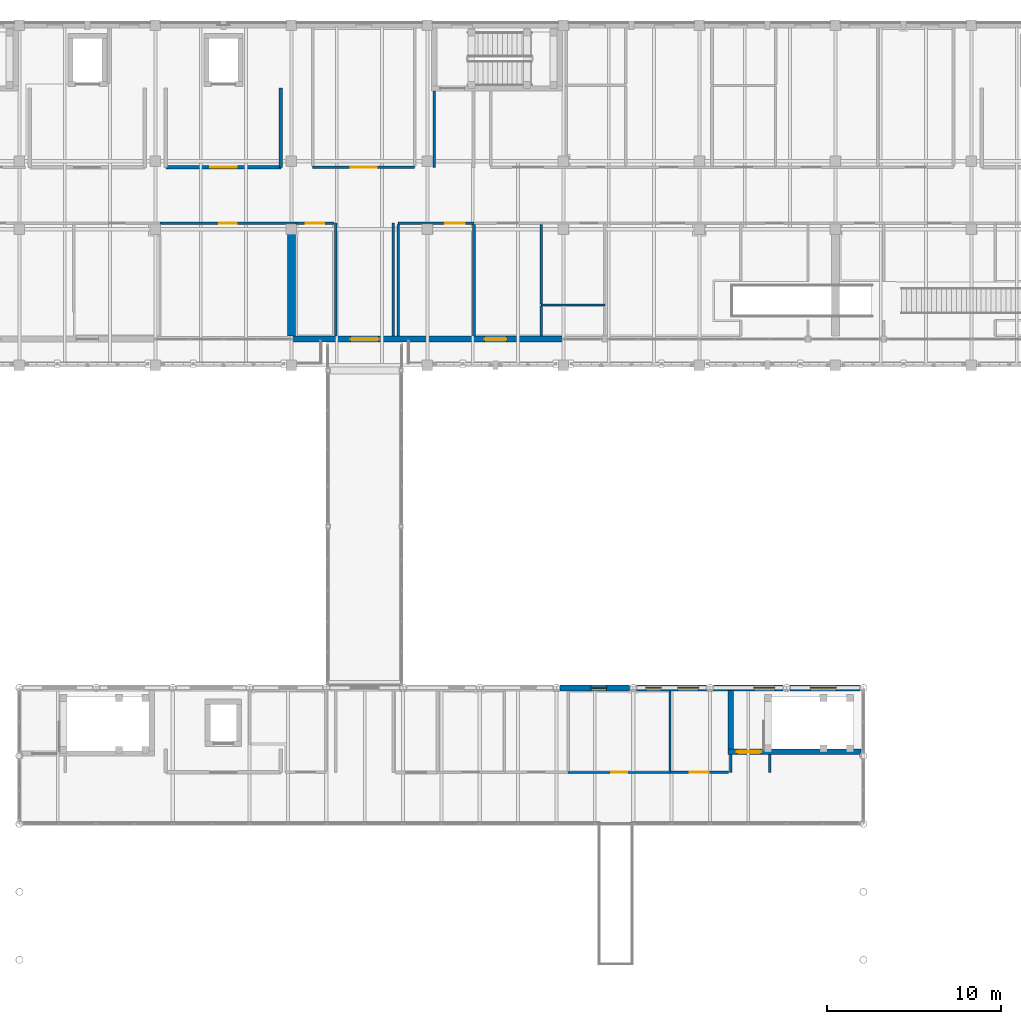
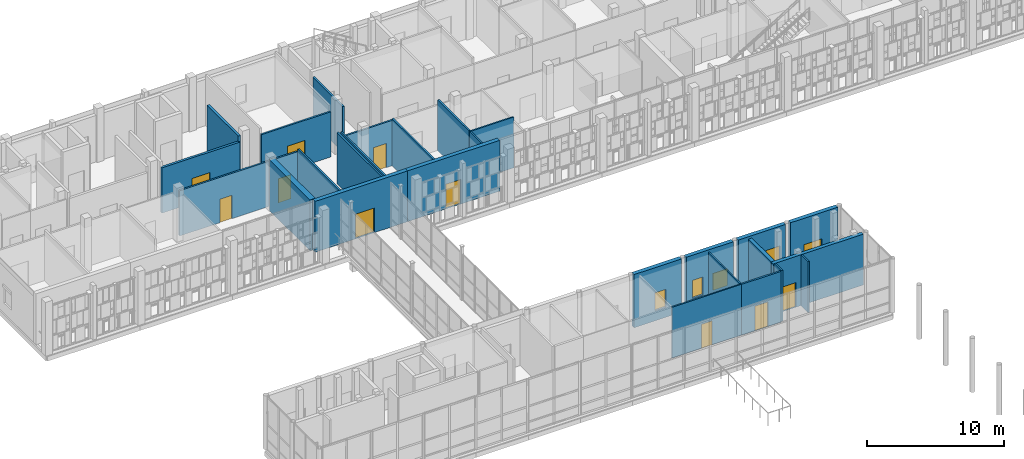
# One storey, part 108 of 138: 28 walls, 10 doors, 5 windows, 15 openings.
"""IFC4 building model written with IfcOpenShell, lengths in metres."""

from ifc_helpers import new_model, si_unit, direction, frame, frame_2d, origin, place, context, subcontext, project, spatial, rectangle, extrude, material, layer, layer_set, type_object, element, fill, save


model = new_model("IFC4")

# Units and contexts
model_context = context("Model", 3, precision=1e-05, world=origin(), true_north=direction((0.0, 1.0)))
body_context = subcontext(model_context, "Body", "Model", "MODEL_VIEW")
ifc_project = project(units=[si_unit("LENGTHUNIT", "METRE"), si_unit("AREAUNIT", "SQUARE_METRE"), si_unit("VOLUMEUNIT", "CUBIC_METRE"), si_unit("PLANEANGLEUNIT", "RADIAN"), si_unit("MASSUNIT", "GRAM", prefix="KILO")], contexts=[model_context])

# Site, building, storey
site_placement = place(None, origin())
site = spatial("IfcSite", under=ifc_project, at=site_placement, CompositionType="ELEMENT")
building_placement = place(site_placement, origin())
building = spatial("IfcBuilding", under=site, at=building_placement, Name="Celorna Specialist Clinic", CompositionType="ELEMENT")
storey_placement = place(building_placement, frame((0.0, 0.0, 4.800048828125)))
storey = spatial("IfcBuildingStorey", under=building, at=storey_placement, Name="L01", CompositionType="ELEMENT", Elevation=4.800048828125)

# Wall
ifc_material_1 = material(Name="Concrete C40/50", Category="concrete")
ifc_layer_1 = layer(ifc_material_1, 0.449951171875, Name="Concrete C40/50")
ifc_layer_set_1 = layer_set([ifc_layer_1], Name="Concrete C40/50")
wall_type_1 = type_object("IfcWallType", Name="WT-04", PredefinedType="SHEAR", material=ifc_layer_set_1)
wall_1_placement = place(storey_placement, frame((70.199951171875, 98.18994140625, 0.0), z_axis=(0.0, 0.0, 1.0), x_axis=(0.0, 1.0, 0.0)))
element("IfcWall", 1, at=wall_1_placement, inside=storey, type_object=wall_type_1, Name="Structural RC shear wall WT-04 V4 L01", PredefinedType="SHEAR", context=body_context, shape_type="SweptSolid", body=[
    extrude(rectangle(XDim=5.9599609375, YDim=0.449951171875, at=frame_2d((2.97998046875, 0.0))), origin(), (0.0, 0.0, 1.0), 4.5400390625),
])

# Wall, opening, window
ifc_material_2 = material(Name="Pero Pinheiro Lioz limestone insulated masonry", Category="masonry")
ifc_layer_2 = layer(ifc_material_2, 0.340087890625, Name="Pero Pinheiro Lioz limestone insulated masonry")
ifc_layer_set_2 = layer_set([ifc_layer_2], Name="Pero Pinheiro Lioz limestone insulated masonry")
wall_type_2 = type_object("IfcWallType", Name="WT-07", PredefinedType="STANDARD", material=ifc_layer_set_2)
wall_2_placement = place(storey_placement, frame((85.603271484375, 78.0, 0.0), z_axis=(0.0, 0.0, 1.0), x_axis=(1.0, 0.0, 0.0)))
wall_2 = element("IfcWall", 2, at=wall_2_placement, inside=storey, type_object=wall_type_2, Name="External facade wall WT-07 #98", PredefinedType="STANDARD", context=body_context, shape_type="SweptSolid", body=[
    extrude(rectangle(XDim=3.993408203125, YDim=0.340087890625, at=frame_2d((1.99658203125, 0.0))), origin(), (0.0, 0.0, 1.0), 4.75),
])
opening_1_placement = place(wall_2_placement, frame((1.770263671875, 0.0, 0.89990234375)))
opening_1 = element("IfcOpeningElement", 3, at=opening_1_placement, cuts=wall_2, Name="Opening WN-01", PredefinedType="OPENING", context=body_context, shape_type="SweptSolid", body=[
    extrude(rectangle(XDim=0.89990234375, YDim=1.60009765625, at=frame_2d((0.449951171875, 0.800048828125))), frame((0.0, 0.179931640625, 0.0), z_axis=(0.0, -1.0, 0.0), x_axis=(1.0, 0.0, 0.0)), (0.0, 0.0, 1.0), 0.360107421875),
])
ifc_material_3 = material(Name="Thermally broken aluminium triple-glazed window", Category="aluminium")
window_type_1 = type_object("IfcWindowType", Name="WN-01", PartitioningType="SINGLE_PANEL", PredefinedType="WINDOW", material=ifc_material_3)
window_1_placement = place(opening_1_placement, origin())
window_1 = element("IfcWindow", 4, at=window_1_placement, inside=storey, type_object=window_type_1, Name="Facade window WN-01 #15", OverallHeight=1.60009765625, OverallWidth=0.89990234375, PartitioningType="SINGLE_PANEL", PredefinedType="WINDOW", context=body_context, shape_type="SweptSolid", body=[
    extrude(rectangle(XDim=0.89990234375, YDim=1.60009765625, at=frame_2d((0.449951171875, 0.800048828125))), frame((0.0, 0.030029296875, 0.0), z_axis=(0.0, -1.0, 0.0), x_axis=(1.0, 0.0, 0.0)), (0.0, 0.0, 1.0), 0.06005859375),
])
fill(opening_1, window_1)

# Wall, openings, windows
wall_3_placement = place(storey_placement, frame((90.003173828125, 78.0, 0.0), z_axis=(0.0, 0.0, 1.0), x_axis=(1.0, 0.0, 0.0)))
wall_3 = element("IfcWall", 5, at=wall_3_placement, inside=storey, type_object=wall_type_2, Name="External facade wall WT-07 #99", PredefinedType="STANDARD", context=body_context, shape_type="SweptSolid", body=[
    extrude(rectangle(XDim=3.99365234375, YDim=0.340087890625, at=frame_2d((1.996826171875, 0.0))), origin(), (0.0, 0.0, 1.0), 4.75),
])
opening_2_placement = place(wall_3_placement, frame((0.518310546875, 0.0, 0.89990234375)))
opening_2 = element("IfcOpeningElement", 6, at=opening_2_placement, cuts=wall_3, Name="Opening WN-01", PredefinedType="OPENING", context=body_context, shape_type="SweptSolid", body=[
    extrude(rectangle(XDim=0.89990234375, YDim=1.60009765625, at=frame_2d((0.449951171875, 0.800048828125))), frame((0.0, 0.179931640625, 0.0), z_axis=(0.0, -1.0, 0.0), x_axis=(1.0, 0.0, 0.0)), (0.0, 0.0, 1.0), 0.360107421875),
])
opening_3_placement = place(wall_3_placement, frame((2.34521484375, 0.0, 0.89990234375)))
opening_3 = element("IfcOpeningElement", 7, at=opening_3_placement, cuts=wall_3, Name="Opening WN-04", PredefinedType="OPENING", context=body_context, shape_type="SweptSolid", body=[
    extrude(rectangle(XDim=1.199951171875, YDim=1.5, at=frame_2d((0.60009765625, 0.75))), frame((0.0, 0.179931640625, 0.0), z_axis=(0.0, -1.0, 0.0), x_axis=(1.0, 0.0, 0.0)), (0.0, 0.0, 1.0), 0.360107421875),
])
window_2_placement = place(opening_2_placement, origin())
window_2 = element("IfcWindow", 8, at=window_2_placement, inside=storey, type_object=window_type_1, Name="Facade window WN-01 #16", OverallHeight=1.60009765625, OverallWidth=0.89990234375, PartitioningType="SINGLE_PANEL", PredefinedType="WINDOW", context=body_context, shape_type="SweptSolid", body=[
    extrude(rectangle(XDim=0.89990234375, YDim=1.60009765625, at=frame_2d((0.449951171875, 0.800048828125))), frame((0.0, 0.030029296875, 0.0), z_axis=(0.0, -1.0, 0.0), x_axis=(1.0, 0.0, 0.0)), (0.0, 0.0, 1.0), 0.06005859375),
])
fill(opening_2, window_2)
window_type_2 = type_object("IfcWindowType", Name="WN-04", PartitioningType="SINGLE_PANEL", PredefinedType="WINDOW", material=ifc_material_3)
window_3_placement = place(opening_3_placement, origin())
window_3 = element("IfcWindow", 9, at=window_3_placement, inside=storey, type_object=window_type_2, Name="Facade window WN-04 #17", OverallHeight=1.5, OverallWidth=1.199951171875, PartitioningType="SINGLE_PANEL", PredefinedType="WINDOW", context=body_context, shape_type="SweptSolid", body=[
    extrude(rectangle(XDim=1.199951171875, YDim=1.5, at=frame_2d((0.60009765625, 0.75))), frame((0.0, 0.030029296875, 0.0), z_axis=(0.0, -1.0, 0.0), x_axis=(1.0, 0.0, 0.0)), (0.0, 0.0, 1.0), 0.06005859375),
])
fill(opening_3, window_3)

# Wall, opening, window
wall_4_placement = place(storey_placement, frame((94.4033203125, 78.0, 0.0), z_axis=(0.0, 0.0, 1.0), x_axis=(1.0, 0.0, 0.0)))
wall_4 = element("IfcWall", 10, at=wall_4_placement, inside=storey, type_object=wall_type_2, Name="External facade wall WT-07 #100", PredefinedType="STANDARD", context=body_context, shape_type="SweptSolid", body=[
    extrude(rectangle(XDim=3.993408203125, YDim=0.340087890625, at=frame_2d((1.99658203125, 0.0))), origin(), (0.0, 0.0, 1.0), 4.75),
])
opening_4_placement = place(wall_4_placement, frame((2.3203125, 0.0, 0.89990234375)))
opening_4 = element("IfcOpeningElement", 11, at=opening_4_placement, cuts=wall_4, Name="Opening WN-06", PredefinedType="OPENING", context=body_context, shape_type="SweptSolid", body=[
    extrude(rectangle(XDim=1.199951171875, YDim=2.10009765625, at=frame_2d((0.60009765625, 1.050048828125))), frame((0.0, 0.179931640625, 0.0), z_axis=(0.0, -1.0, 0.0), x_axis=(1.0, 0.0, 0.0)), (0.0, 0.0, 1.0), 0.360107421875),
])
window_type_3 = type_object("IfcWindowType", Name="WN-06", PartitioningType="SINGLE_PANEL", PredefinedType="WINDOW", material=ifc_material_3)
window_4_placement = place(opening_4_placement, origin())
window_4 = element("IfcWindow", 12, at=window_4_placement, inside=storey, type_object=window_type_3, Name="Facade window WN-06 #18", OverallHeight=2.10009765625, OverallWidth=1.199951171875, PartitioningType="SINGLE_PANEL", PredefinedType="WINDOW", context=body_context, shape_type="SweptSolid", body=[
    extrude(rectangle(XDim=1.199951171875, YDim=2.10009765625, at=frame_2d((0.60009765625, 1.050048828125))), frame((0.0, 0.030029296875, 0.0), z_axis=(0.0, -1.0, 0.0), x_axis=(1.0, 0.0, 0.0)), (0.0, 0.0, 1.0), 0.06005859375),
])
fill(opening_4, window_4)

wall_5_placement = place(storey_placement, frame((98.80322265625, 78.0, 0.0), z_axis=(0.0, 0.0, 1.0), x_axis=(1.0, 0.0, 0.0)))
wall_5 = element("IfcWall", 13, at=wall_5_placement, inside=storey, type_object=wall_type_2, Name="External facade wall WT-07 #101", PredefinedType="STANDARD", context=body_context, shape_type="SweptSolid", body=[
    extrude(rectangle(XDim=3.99365234375, YDim=0.340087890625, at=frame_2d((1.996826171875, 0.0))), origin(), (0.0, 0.0, 1.0), 4.75),
])
opening_5_placement = place(wall_5_placement, frame((1.1533203125, 0.0, 0.89990234375)))
opening_5 = element("IfcOpeningElement", 14, at=opening_5_placement, cuts=wall_5, Name="Opening WN-08", PredefinedType="OPENING", context=body_context, shape_type="SweptSolid", body=[
    extrude(rectangle(XDim=1.5, YDim=1.5, at=frame_2d((0.75, 0.75))), frame((0.0, 0.179931640625, 0.0), z_axis=(0.0, -1.0, 0.0), x_axis=(1.0, 0.0, 0.0)), (0.0, 0.0, 1.0), 0.360107421875),
])
window_type_4 = type_object("IfcWindowType", Name="WN-08", PartitioningType="SINGLE_PANEL", PredefinedType="WINDOW", material=ifc_material_3)
window_5_placement = place(opening_5_placement, origin())
window_5 = element("IfcWindow", 15, at=window_5_placement, inside=storey, type_object=window_type_4, Name="Facade window WN-08 #19", OverallHeight=1.5, OverallWidth=1.5, PartitioningType="SINGLE_PANEL", PredefinedType="WINDOW", context=body_context, shape_type="SweptSolid", body=[
    extrude(rectangle(XDim=1.5, YDim=1.5, at=frame_2d((0.75, 0.75))), frame((0.0, 0.030029296875, 0.0), z_axis=(0.0, -1.0, 0.0), x_axis=(1.0, 0.0, 0.0)), (0.0, 0.0, 1.0), 0.06005859375),
])
fill(opening_5, window_5)

# Wall, opening, door
wall_6_placement = place(storey_placement, frame((78.0, 98.0, 0.0), z_axis=(0.0, 0.0, 1.0), x_axis=(-1.0, 0.0, 0.0)))
wall_6 = element("IfcWall", 16, at=wall_6_placement, inside=storey, type_object=wall_type_2, Name="External facade wall WT-07 #189", PredefinedType="STANDARD", context=body_context, shape_type="SweptSolid", body=[
    extrude(rectangle(XDim=7.800048828125, YDim=0.340087890625, at=frame_2d((3.89990234375, 0.0))), origin(), (0.0, 0.0, 1.0), 4.5400390625),
])
opening_6_placement = place(wall_6_placement, frame((2.800048828125, 0.0, 0.0)))
opening_6 = element("IfcOpeningElement", 17, at=opening_6_placement, cuts=wall_6, Name="Opening DR-12", PredefinedType="OPENING", context=body_context, shape_type="SweptSolid", body=[
    extrude(rectangle(XDim=1.60009765625, YDim=2.199951171875, at=frame_2d((0.800048828125, 1.10009765625))), frame((0.0, 0.179931640625, 0.0), z_axis=(0.0, -1.0, 0.0), x_axis=(1.0, 0.0, 0.0)), (0.0, 0.0, 1.0), 0.360107421875),
])
ifc_material_4 = material(Name="Corridor cross-compartment pair door")
door_type_1 = type_object("IfcDoorType", Name="DR-12", OperationType="DOUBLE_DOOR_SINGLE_SWING", PredefinedType="DOOR", material=ifc_material_4)
door_1_placement = place(opening_6_placement, frame((1.60009765625, 0.0, 0.0), z_axis=(0.0, 0.0, 1.0), x_axis=(-1.0, 0.0, 0.0)))
door_1 = element("IfcDoor", 18, at=door_1_placement, inside=storey, type_object=door_type_1, Name="Bridge BR-04 north/east portal door L01", OperationType="DOUBLE_DOOR_SINGLE_SWING", OverallHeight=2.199951171875, OverallWidth=1.60009765625, PredefinedType="DOOR", context=body_context, shape_type="SweptSolid", body=[
    extrude(rectangle(XDim=1.60009765625, YDim=2.199951171875, at=frame_2d((0.800048828125, 1.10009765625))), frame((0.0, 0.02490234375, 0.0), z_axis=(0.0, -1.0, 0.0), x_axis=(1.0, 0.0, 0.0)), (0.0, 0.0, 1.0), 0.050048828125),
])
fill(opening_6, door_1)

wall_7_placement = place(storey_placement, frame((85.800048828125, 98.0, 0.0), z_axis=(0.0, 0.0, 1.0), x_axis=(-1.0, 0.0, 0.0)))
wall_7 = element("IfcWall", 19, at=wall_7_placement, inside=storey, type_object=wall_type_2, Name="External facade wall WT-07 #190", PredefinedType="STANDARD", context=body_context, shape_type="SweptSolid", body=[
    extrude(rectangle(XDim=7.800048828125, YDim=0.340087890625, at=frame_2d((3.89990234375, 0.0))), origin(), (0.0, 0.0, 1.0), 4.5400390625),
])
opening_7_placement = place(wall_7_placement, frame((3.27490234375, 0.0, 0.0)))
opening_7 = element("IfcOpeningElement", 20, at=opening_7_placement, cuts=wall_7, Name="Opening DR-13", PredefinedType="OPENING", context=body_context, shape_type="SweptSolid", body=[
    extrude(rectangle(XDim=1.25, YDim=2.199951171875, at=frame_2d((0.625, 1.10009765625))), frame((0.0, 0.179931640625, 0.0), z_axis=(0.0, -1.0, 0.0), x_axis=(1.0, 0.0, 0.0)), (0.0, 0.0, 1.0), 0.360107421875),
])
ifc_material_5 = material(Name="Thermally broken glazed terrace door")
door_type_2 = type_object("IfcDoorType", Name="DR-13", OperationType="NOTDEFINED", PredefinedType="DOOR", material=ifc_material_5)
door_2_placement = place(opening_7_placement, frame((1.25, 0.0, 0.0), z_axis=(0.0, 0.0, 1.0), x_axis=(-1.0, 0.0, 0.0)))
door_2 = element("IfcDoor", 21, at=door_2_placement, inside=storey, type_object=door_type_2, Name="Terrace access door TER-V4-S2-L01", OperationType="SINGLE_SWING_RIGHT", OverallHeight=2.199951171875, OverallWidth=1.25, PredefinedType="DOOR", context=body_context, shape_type="SweptSolid", body=[
    extrude(rectangle(XDim=1.25, YDim=2.199951171875, at=frame_2d((0.625, 1.10009765625))), frame((0.0, 0.02490234375, 0.0), z_axis=(0.0, -1.0, 0.0), x_axis=(1.0, 0.0, 0.0)), (0.0, 0.0, 1.0), 0.050048828125),
])
fill(opening_7, door_2)

ifc_material_6 = material(Name="Concrete C35/45", Category="concrete")
ifc_layer_3 = layer(ifc_material_6, 0.300048828125, Name="Concrete C35/45")
ifc_layer_set_3 = layer_set([ifc_layer_3], Name="Concrete C35/45")
wall_type_3 = type_object("IfcWallType", Name="WT-08", PredefinedType="SHEAR", material=ifc_layer_set_3)
wall_8_placement = place(storey_placement, frame((95.239990234375, 74.330078125, 0.0), z_axis=(0.0, 0.0, 1.0), x_axis=(1.0, 0.0, 0.0)))
wall_8 = element("IfcWall", 22, at=wall_8_placement, inside=storey, type_object=wall_type_3, Name="Stair ST-11 RC core wall L01 south", PredefinedType="SHEAR", context=body_context, shape_type="SweptSolid", body=[
    extrude(rectangle(XDim=7.610107421875, YDim=0.300048828125, at=frame_2d((3.80517578125, 0.0))), origin(), (0.0, 0.0, 1.0), 4.5400390625),
])
opening_8_placement = place(wall_8_placement, frame((0.5, 0.0, 0.0)))
opening_8 = element("IfcOpeningElement", 23, at=opening_8_placement, cuts=wall_8, Name="Opening DR-10", PredefinedType="OPENING", context=body_context, shape_type="SweptSolid", body=[
    extrude(rectangle(XDim=1.39990234375, YDim=2.199951171875, at=frame_2d((0.699951171875, 1.10009765625))), frame((0.0, 0.159912109375, 0.0), z_axis=(0.0, -1.0, 0.0), x_axis=(1.0, 0.0, 0.0)), (0.0, 0.0, 1.0), 0.320068359375),
])
ifc_material_7 = material(Name="Protected exit stair fire door")
door_type_3 = type_object("IfcDoorType", Name="DR-10", OperationType="NOTDEFINED", PredefinedType="DOOR", material=ifc_material_7)
door_3_placement = place(opening_8_placement, origin())
door_3 = element("IfcDoor", 24, at=door_3_placement, inside=storey, type_object=door_type_3, Name="Protected exit stair door ST-11 L01", OperationType="SINGLE_SWING_LEFT", OverallHeight=2.199951171875, OverallWidth=1.39990234375, PredefinedType="DOOR", context=body_context, shape_type="SweptSolid", body=[
    extrude(rectangle(XDim=1.39990234375, YDim=2.199951171875, at=frame_2d((0.699951171875, 1.10009765625))), frame((0.0, 0.02490234375, 0.0), z_axis=(0.0, -1.0, 0.0), x_axis=(1.0, 0.0, 0.0)), (0.0, 0.0, 1.0), 0.050048828125),
])
fill(opening_8, door_3)

# Wall
wall_9_placement = place(storey_placement, frame((95.389892578125, 77.85009765625, 0.0), z_axis=(0.0, 0.0, 1.0), x_axis=(0.0, -1.0, 0.0)))
element("IfcWall", 25, at=wall_9_placement, inside=storey, type_object=wall_type_3, Name="Stair ST-11 RC core wall L01 west", PredefinedType="SHEAR", context=body_context, shape_type="SweptSolid", body=[
    extrude(rectangle(XDim=3.3701171875, YDim=0.300048828125, at=frame_2d((1.68505859375, 0.0))), origin(), (0.0, 0.0, 1.0), 4.5400390625),
])

# Wall, opening, door
ifc_layer_4 = layer(ifc_material_6, 0.199951171875, Name="Concrete C35/45")
ifc_layer_set_4 = layer_set([ifc_layer_4], Name="Concrete C35/45")
wall_type_4 = type_object("IfcWallType", Name="WT-12", PredefinedType="SOLIDWALL", material=ifc_layer_set_4)
wall_10_placement = place(storey_placement, frame((63.0, 107.85009765625, 0.0), z_axis=(0.0, 0.0, 1.0), x_axis=(1.0, 0.0, 0.0)))
wall_10 = element("IfcWall", 26, at=wall_10_placement, inside=storey, type_object=wall_type_4, Name="Firefighting lobby wall LF-02 L01", PredefinedType="SOLIDWALL", context=body_context, shape_type="SweptSolid", body=[
    extrude(rectangle(XDim=6.60009765625, YDim=0.199951171875, at=frame_2d((3.300048828125, 0.0))), origin(), (0.0, 0.0, 1.0), 4.0400390625),
])
opening_9_placement = place(wall_10_placement, frame((2.550048828125, 0.0, 0.0)))
opening_9 = element("IfcOpeningElement", 27, at=opening_9_placement, cuts=wall_10, Name="Opening DR-11", PredefinedType="OPENING", context=body_context, shape_type="SweptSolid", body=[
    extrude(rectangle(XDim=1.5, YDim=2.199951171875, at=frame_2d((0.75, 1.10009765625))), frame((0.0, 0.10986328125, 0.0), z_axis=(0.0, -1.0, 0.0), x_axis=(1.0, 0.0, 0.0)), (0.0, 0.0, 1.0), 0.219970703125),
])
ifc_material_8 = material(Name="Firefighting lobby double fire door")
door_type_4 = type_object("IfcDoorType", Name="DR-11", OperationType="DOUBLE_DOOR_SINGLE_SWING", PredefinedType="DOOR", material=ifc_material_8)
door_4_placement = place(opening_9_placement, origin())
door_4 = element("IfcDoor", 28, at=door_4_placement, inside=storey, type_object=door_type_4, Name="Firefighting lobby fire door LF-02 L01", OperationType="DOUBLE_DOOR_SINGLE_SWING", OverallHeight=2.199951171875, OverallWidth=1.5, PredefinedType="DOOR", context=body_context, shape_type="SweptSolid", body=[
    extrude(rectangle(XDim=1.5, YDim=2.199951171875, at=frame_2d((0.75, 1.10009765625))), frame((0.0, 0.02490234375, 0.0), z_axis=(0.0, -1.0, 0.0), x_axis=(1.0, 0.0, 0.0)), (0.0, 0.0, 1.0), 0.050048828125),
])
fill(opening_9, door_4)

# Walls
wall_11_placement = place(storey_placement, frame((69.60009765625, 107.85009765625, 0.0), z_axis=(0.0, 0.0, 1.0), x_axis=(0.0, 1.0, 0.0)))
element("IfcWall", 29, at=wall_11_placement, inside=storey, type_object=wall_type_4, Name="Firefighting lobby wall LF-02 L01", PredefinedType="SOLIDWALL", context=body_context, shape_type="SweptSolid", body=[
    extrude(rectangle(XDim=4.5498046875, YDim=0.199951171875, at=frame_2d((2.27490234375, 0.0))), origin(), (0.0, 0.0, 1.0), 4.5400390625),
])
ifc_material_9 = material(Name="Fire-rated gypsum board partition")
ifc_layer_5 = layer(ifc_material_9, 0.14990234375, Name="Fire-rated gypsum board partition")
ifc_layer_set_5 = layer_set([ifc_layer_5], Name="Fire-rated gypsum board partition")
wall_type_5 = type_object("IfcWallType", Name="WT-14", PredefinedType="PARTITIONING", material=ifc_layer_set_5)
for number, where, z_axis, x_axis, name in (
    (30, (95.389892578125, 73.14990234375, 0.0), (0.0, 0.0, 1.0), (0.0, 1.0, 0.0), "Corridor spur partition WT-14"),
    (31, (97.639892578125, 73.14990234375, 0.0), (0.0, 0.0, 1.0), (0.0, 1.0, 0.0), "Corridor spur partition WT-14"),
):
    element("IfcWall", number, at=place(storey_placement, frame(where, z_axis=z_axis, x_axis=x_axis)), inside=storey, type_object=wall_type_5, Name=name, PredefinedType="PARTITIONING", context=body_context, shape_type="SweptSolid", body=[
        extrude(rectangle(XDim=1.030029296875, YDim=0.14990234375, at=frame_2d((0.51513671875, 0.0))), origin(), (0.0, 0.0, 1.0), 4.5400390625),
    ])
wall_12_placement = place(storey_placement, frame((78.389892578125, 107.85009765625, 0.0), z_axis=(0.0, 0.0, 1.0), x_axis=(0.0, 1.0, 0.0)))
element("IfcWall", 32, at=wall_12_placement, inside=storey, type_object=wall_type_5, Name="Corridor spur partition WT-14", PredefinedType="PARTITIONING", context=body_context, shape_type="SweptSolid", body=[
    extrude(rectangle(XDim=4.369873046875, YDim=0.14990234375, at=frame_2d((2.18505859375, 0.0))), origin(), (0.0, 0.0, 1.0), 4.08984375),
])
wall_13_placement = place(storey_placement, frame((72.75, 98.169921875, 0.0), z_axis=(0.0, 0.0, 1.0), x_axis=(0.0, 1.0, 0.0)))
element("IfcWall", 33, at=wall_13_placement, inside=storey, type_object=wall_type_5, Name="Corridor spur partition WT-14", PredefinedType="PARTITIONING", context=body_context, shape_type="SweptSolid", body=[
    extrude(rectangle(XDim=6.47998046875, YDim=0.14990234375, at=frame_2d((3.239990234375, 0.0))), origin(), (0.0, 0.0, 1.0), 4.2099609375),
])
wall_14_placement = place(storey_placement, frame((76.050048828125, 98.169921875, 0.0), z_axis=(0.0, 0.0, 1.0), x_axis=(0.0, 1.0, 0.0)))
element("IfcWall", 34, at=wall_14_placement, inside=storey, type_object=wall_type_5, Name="Corridor spur partition WT-14", PredefinedType="PARTITIONING", context=body_context, shape_type="SweptSolid", body=[
    extrude(rectangle(XDim=6.47998046875, YDim=0.14990234375, at=frame_2d((3.239990234375, 0.0))), origin(), (0.0, 0.0, 1.0), 4.5400390625),
])

# Wall, opening, door
wall_15_placement = place(storey_placement, frame((91.919921875, 73.14990234375, 0.0), z_axis=(0.0, 0.0, 1.0), x_axis=(1.0, 0.0, 0.0)))
wall_15 = element("IfcWall", 35, at=wall_15_placement, inside=storey, type_object=wall_type_5, Name="Interior partition WT-14 L01-021", PredefinedType="PARTITIONING", context=body_context, shape_type="SweptSolid", body=[
    extrude(rectangle(XDim=3.35009765625, YDim=0.14990234375, at=frame_2d((1.675048828125, 0.0))), origin(), (0.0, 0.0, 1.0), 4.5400390625),
])
opening_10_placement = place(wall_15_placement, frame((1.135009765625, 0.0, 0.0)))
opening_10 = element("IfcOpeningElement", 36, at=opening_10_placement, cuts=wall_15, Name="Opening DR-21", PredefinedType="OPENING", context=body_context, shape_type="SweptSolid", body=[
    extrude(rectangle(XDim=1.080078125, YDim=2.199951171875, at=frame_2d((0.5400390625, 1.10009765625))), frame((0.0, 0.0849609375, 0.0), z_axis=(0.0, -1.0, 0.0), x_axis=(1.0, 0.0, 0.0)), (0.0, 0.0, 1.0), 0.169921875),
])
ifc_material_10 = material(Name="Timber outpatient suite door", Category="wood")
door_type_5 = type_object("IfcDoorType", Name="DR-21", OperationType="NOTDEFINED", PredefinedType="DOOR", material=ifc_material_10)
door_5_placement = place(opening_10_placement, origin())
door_5 = element("IfcDoor", 37, at=door_5_placement, inside=storey, type_object=door_type_5, Name="Infusion Observation Gallery door L01-021", OperationType="SINGLE_SWING_RIGHT", OverallHeight=2.199951171875, OverallWidth=1.080078125, PredefinedType="DOOR", context=body_context, shape_type="SweptSolid", body=[
    extrude(rectangle(XDim=1.080078125, YDim=2.199951171875, at=frame_2d((0.5400390625, 1.10009765625))), frame((0.0, 0.02490234375, 0.0), z_axis=(0.0, -1.0, 0.0), x_axis=(1.0, 0.0, 0.0)), (0.0, 0.0, 1.0), 0.050048828125),
])
fill(opening_10, door_5)

wall_16_placement = place(storey_placement, frame((70.469970703125, 104.64990234375, 0.0), z_axis=(0.0, 0.0, 1.0), x_axis=(-1.0, 0.0, 0.0)))
wall_16 = element("IfcWall", 38, at=wall_16_placement, inside=storey, type_object=wall_type_5, Name="Interior partition WT-14 L01-055", PredefinedType="PARTITIONING", context=body_context, shape_type="SweptSolid", body=[
    extrude(rectangle(XDim=7.800048828125, YDim=0.14990234375, at=frame_2d((3.89990234375, 0.0))), origin(), (0.0, 0.0, 1.0), 4.0400390625),
])
opening_11_placement = place(wall_16_placement, frame((3.39990234375, 0.0, 0.0)))
opening_11 = element("IfcOpeningElement", 39, at=opening_11_placement, cuts=wall_16, Name="Opening DR-04", PredefinedType="OPENING", context=body_context, shape_type="SweptSolid", body=[
    extrude(rectangle(XDim=1.0, YDim=2.10009765625, at=frame_2d((0.5, 1.050048828125))), frame((0.0, 0.0849609375, 0.0), z_axis=(0.0, -1.0, 0.0), x_axis=(1.0, 0.0, 0.0)), (0.0, 0.0, 1.0), 0.169921875),
])
ifc_material_11 = material(Name="Timber consultation suite door", Category="wood")
door_type_6 = type_object("IfcDoorType", Name="DR-04", OperationType="NOTDEFINED", PredefinedType="DOOR", material=ifc_material_11)
door_6_placement = place(opening_11_placement, origin())
door_6 = element("IfcDoor", 40, at=door_6_placement, inside=storey, type_object=door_type_6, Name="Pulmonary Function Testing Suite door L01-055", OperationType="SINGLE_SWING_LEFT", OverallHeight=2.10009765625, OverallWidth=1.0, PredefinedType="DOOR", context=body_context, shape_type="SweptSolid", body=[
    extrude(rectangle(XDim=1.0, YDim=2.10009765625, at=frame_2d((0.5, 1.050048828125))), frame((0.0, 0.02490234375, 0.0), z_axis=(0.0, -1.0, 0.0), x_axis=(1.0, 0.0, 0.0)), (0.0, 0.0, 1.0), 0.050048828125),
])
fill(opening_11, door_6)

wall_17_placement = place(storey_placement, frame((72.6298828125, 104.64990234375, 0.0), z_axis=(0.0, 0.0, 1.0), x_axis=(-1.0, 0.0, 0.0)))
wall_17 = element("IfcWall", 41, at=wall_17_placement, inside=storey, type_object=wall_type_5, Name="Interior partition WT-14 L01-056", PredefinedType="PARTITIONING", context=body_context, shape_type="SweptSolid", body=[
    extrude(rectangle(XDim=2.159912109375, YDim=0.14990234375, at=frame_2d((1.080078125, 0.0))), origin(), (0.0, 0.0, 1.0), 4.0400390625),
])
opening_12_placement = place(wall_17_placement, frame((0.554931640625, 0.0, 0.0)))
opening_12 = element("IfcOpeningElement", 42, at=opening_12_placement, cuts=wall_17, Name="Opening DR-05", PredefinedType="OPENING", context=body_context, shape_type="SweptSolid", body=[
    extrude(rectangle(XDim=1.050048828125, YDim=2.14990234375, at=frame_2d((0.52490234375, 1.074951171875))), frame((0.0, 0.0849609375, 0.0), z_axis=(0.0, -1.0, 0.0), x_axis=(1.0, 0.0, 0.0)), (0.0, 0.0, 1.0), 0.169921875),
])
ifc_material_12 = material(Name="Timber examination room door", Category="wood")
door_type_7 = type_object("IfcDoorType", Name="DR-05", OperationType="NOTDEFINED", PredefinedType="DOOR", material=ifc_material_12)
door_7_placement = place(opening_12_placement, origin())
door_7 = element("IfcDoor", 43, at=door_7_placement, inside=storey, type_object=door_type_7, Name="Allergy and Immunology Clinic door L01-056", OperationType="SINGLE_SWING_RIGHT", OverallHeight=2.14990234375, OverallWidth=1.050048828125, PredefinedType="DOOR", context=body_context, shape_type="SweptSolid", body=[
    extrude(rectangle(XDim=1.050048828125, YDim=2.14990234375, at=frame_2d((0.52490234375, 1.074951171875))), frame((0.0, 0.02490234375, 0.0), z_axis=(0.0, -1.0, 0.0), x_axis=(1.0, 0.0, 0.0)), (0.0, 0.0, 1.0), 0.050048828125),
])
fill(opening_12, door_7)

wall_18_placement = place(storey_placement, frame((80.669921875, 104.64990234375, 0.0), z_axis=(0.0, 0.0, 1.0), x_axis=(-1.0, 0.0, 0.0)))
wall_18 = element("IfcWall", 44, at=wall_18_placement, inside=storey, type_object=wall_type_5, Name="Interior partition WT-14 L01-057", PredefinedType="PARTITIONING", context=body_context, shape_type="SweptSolid", body=[
    extrude(rectangle(XDim=4.349853515625, YDim=0.14990234375, at=frame_2d((2.1748046875, 0.0))), origin(), (0.0, 0.0, 1.0), 4.0400390625),
])
opening_13_placement = place(wall_18_placement, frame((0.53759765625, 0.0, 0.0)))
opening_13 = element("IfcOpeningElement", 45, at=opening_13_placement, cuts=wall_18, Name="Opening DR-06", PredefinedType="OPENING", context=body_context, shape_type="SweptSolid", body=[
    extrude(rectangle(XDim=1.10009765625, YDim=2.14990234375, at=frame_2d((0.550048828125, 1.074951171875))), frame((0.0, 0.0849609375, 0.0), z_axis=(0.0, -1.0, 0.0), x_axis=(1.0, 0.0, 0.0)), (0.0, 0.0, 1.0), 0.169921875),
])
ifc_material_13 = material(Name="Clinical treatment suite door")
door_type_8 = type_object("IfcDoorType", Name="DR-06", OperationType="NOTDEFINED", PredefinedType="DOOR", material=ifc_material_13)
door_8_placement = place(opening_13_placement, origin())
door_8 = element("IfcDoor", 46, at=door_8_placement, inside=storey, type_object=door_type_8, Name="Outpatient Diagnostic Clinic door L01-057", OperationType="SINGLE_SWING_LEFT", OverallHeight=2.14990234375, OverallWidth=1.10009765625, PredefinedType="DOOR", context=body_context, shape_type="SweptSolid", body=[
    extrude(rectangle(XDim=1.10009765625, YDim=2.14990234375, at=frame_2d((0.550048828125, 1.074951171875))), frame((0.0, 0.02490234375, 0.0), z_axis=(0.0, -1.0, 0.0), x_axis=(1.0, 0.0, 0.0)), (0.0, 0.0, 1.0), 0.050048828125),
])
fill(opening_13, door_8)

wall_19_placement = place(storey_placement, frame((71.419921875, 107.85009765625, 0.0), z_axis=(0.0, 0.0, 1.0), x_axis=(1.0, 0.0, 0.0)))
wall_19 = element("IfcWall", 47, at=wall_19_placement, inside=storey, type_object=wall_type_5, Name="Interior partition WT-14 L01-076", PredefinedType="PARTITIONING", context=body_context, shape_type="SweptSolid", body=[
    extrude(rectangle(XDim=5.85009765625, YDim=0.14990234375, at=frame_2d((2.925048828125, 0.0))), origin(), (0.0, 0.0, 1.0), 4.0400390625),
])
opening_14_placement = place(wall_19_placement, frame((2.18505859375, 0.0, 0.0)))
opening_14 = element("IfcOpeningElement", 48, at=opening_14_placement, cuts=wall_19, Name="Opening DR-23", PredefinedType="OPENING", context=body_context, shape_type="SweptSolid", body=[
    extrude(rectangle(XDim=1.47998046875, YDim=2.25, at=frame_2d((0.739990234375, 1.125))), frame((0.0, 0.0849609375, 0.0), z_axis=(0.0, -1.0, 0.0), x_axis=(1.0, 0.0, 0.0)), (0.0, 0.0, 1.0), 0.169921875),
])
ifc_material_14 = material(Name="Double leaf treatment room door")
door_type_9 = type_object("IfcDoorType", Name="DR-23", OperationType="DOUBLE_DOOR_SINGLE_SWING", PredefinedType="DOOR", material=ifc_material_14)
door_9_placement = place(opening_14_placement, origin())
door_9 = element("IfcDoor", 49, at=door_9_placement, inside=storey, type_object=door_type_9, Name="Allergy and Immunology Clinic door L01-076", OperationType="DOUBLE_DOOR_SINGLE_SWING", OverallHeight=2.25, OverallWidth=1.47998046875, PredefinedType="DOOR", context=body_context, shape_type="SweptSolid", body=[
    extrude(rectangle(XDim=1.47998046875, YDim=2.25, at=frame_2d((0.739990234375, 1.125))), frame((0.0, 0.02490234375, 0.0), z_axis=(0.0, -1.0, 0.0), x_axis=(1.0, 0.0, 0.0)), (0.0, 0.0, 1.0), 0.050048828125),
])
fill(opening_14, door_9)

# Walls
wall_20_placement = place(storey_placement, frame((76.320068359375, 98.169921875, 0.0), z_axis=(0.0, 0.0, 1.0), x_axis=(0.0, 1.0, 0.0)))
element("IfcWall", 50, at=wall_20_placement, inside=storey, type_object=wall_type_5, Name="Room dividing partition WT-14 L01-057", PredefinedType="PARTITIONING", context=body_context, shape_type="SweptSolid", body=[
    extrude(rectangle(XDim=6.405029296875, YDim=0.14990234375, at=frame_2d((3.20263671875, 0.0))), origin(), (0.0, 0.0, 1.0), 4.5400390625),
])
wall_21_placement = place(storey_placement, frame((80.669921875, 98.169921875, 0.0), z_axis=(0.0, 0.0, 1.0), x_axis=(0.0, 1.0, 0.0)))
element("IfcWall", 51, at=wall_21_placement, inside=storey, type_object=wall_type_5, Name="Room dividing partition WT-14 L01-057", PredefinedType="PARTITIONING", context=body_context, shape_type="SweptSolid", body=[
    extrude(rectangle(XDim=6.405029296875, YDim=0.14990234375, at=frame_2d((3.20263671875, 0.0))), origin(), (0.0, 0.0, 1.0), 4.2099609375),
])
wall_22_placement = place(storey_placement, frame((84.52001953125, 98.169921875, 0.0), z_axis=(0.0, 0.0, 1.0), x_axis=(0.0, 1.0, 0.0)))
element("IfcWall", 52, at=wall_22_placement, inside=storey, type_object=wall_type_5, Name="Room dividing partition WT-14 L01-058", PredefinedType="PARTITIONING", context=body_context, shape_type="SweptSolid", body=[
    extrude(rectangle(XDim=1.719970703125, YDim=0.14990234375, at=frame_2d((0.85986328125, 0.0))), origin(), (0.0, 0.0, 1.0), 4.5400390625),
])
wall_23_placement = place(storey_placement, frame((84.52001953125, 100.010009765625, 0.0), z_axis=(0.0, 0.0, 1.0), x_axis=(0.0, 1.0, 0.0)))
element("IfcWall", 53, at=wall_23_placement, inside=storey, type_object=wall_type_5, Name="Room dividing partition WT-14 L01-058", PredefinedType="PARTITIONING", context=body_context, shape_type="SweptSolid", body=[
    extrude(rectangle(XDim=4.56494140625, YDim=0.14990234375, at=frame_2d((2.282470703125, 0.0))), origin(), (0.0, 0.0, 1.0), 4.5400390625),
])

# Wall, opening, door
ifc_material_15 = material(Name="Acoustic gypsum board partition")
ifc_layer_6 = layer(ifc_material_15, 0.1201171875, Name="Acoustic gypsum board partition")
ifc_layer_set_6 = layer_set([ifc_layer_6], Name="Acoustic gypsum board partition")
wall_type_6 = type_object("IfcWallType", Name="WT-15", PredefinedType="PARTITIONING", material=ifc_layer_set_6)
wall_24_placement = place(storey_placement, frame((86.070068359375, 73.14990234375, 0.0), z_axis=(0.0, 0.0, 1.0), x_axis=(1.0, 0.0, 0.0)))
wall_24 = element("IfcWall", 54, at=wall_24_placement, inside=storey, type_object=wall_type_6, Name="Interior partition WT-15 L01-020", PredefinedType="PARTITIONING", context=body_context, shape_type="SweptSolid", body=[
    extrude(rectangle(XDim=5.849853515625, YDim=0.1201171875, at=frame_2d((2.9248046875, 0.0))), origin(), (0.0, 0.0, 1.0), 4.5400390625),
])
opening_15_placement = place(wall_24_placement, frame((2.465087890625, 0.0, 0.0)))
opening_15 = element("IfcOpeningElement", 55, at=opening_15_placement, cuts=wall_24, Name="Opening DR-20", PredefinedType="OPENING", context=body_context, shape_type="SweptSolid", body=[
    extrude(rectangle(XDim=0.919921875, YDim=2.14990234375, at=frame_2d((0.4599609375, 1.074951171875))), frame((0.0, 0.070068359375, 0.0), z_axis=(0.0, -1.0, 0.0), x_axis=(1.0, 0.0, 0.0)), (0.0, 0.0, 1.0), 0.14013671875),
])
ifc_material_16 = material(Name="Timber clinical consultation door", Category="wood")
door_type_10 = type_object("IfcDoorType", Name="DR-20", OperationType="NOTDEFINED", PredefinedType="DOOR", material=ifc_material_16)
door_10_placement = place(opening_15_placement, origin())
door_10 = element("IfcDoor", 56, at=door_10_placement, inside=storey, type_object=door_type_10, Name="Oncology Pharmacist Consultation Room door L01-020", OperationType="SINGLE_SWING_LEFT", OverallHeight=2.14990234375, OverallWidth=0.919921875, PredefinedType="DOOR", context=body_context, shape_type="SweptSolid", body=[
    extrude(rectangle(XDim=0.919921875, YDim=2.14990234375, at=frame_2d((0.4599609375, 1.074951171875))), frame((0.0, 0.02490234375, 0.0), z_axis=(0.0, -1.0, 0.0), x_axis=(1.0, 0.0, 0.0)), (0.0, 0.0, 1.0), 0.050048828125),
])
fill(opening_15, door_10)

# Walls
wall_25_placement = place(storey_placement, frame((84.52001953125, 99.949951171875, 0.0), z_axis=(0.0, 0.0, 1.0), x_axis=(1.0, 0.0, 0.0)))
element("IfcWall", 57, at=wall_25_placement, inside=storey, type_object=wall_type_6, Name="Sanitary suite rear partition L01-059", PredefinedType="PARTITIONING", context=body_context, shape_type="SweptSolid", body=[
    extrude(rectangle(XDim=3.64990234375, YDim=0.1201171875, at=frame_2d((1.824951171875, 0.0))), origin(), (0.0, 0.0, 1.0), 4.5400390625),
])
wall_26_placement = place(storey_placement, frame((91.919921875, 73.22509765625, 0.0), z_axis=(0.0, 0.0, 1.0), x_axis=(0.0, 1.0, 0.0)))
element("IfcWall", 58, at=wall_26_placement, inside=storey, type_object=wall_type_6, Name="Room dividing partition WT-15 L01-020", PredefinedType="PARTITIONING", context=body_context, shape_type="SweptSolid", body=[
    extrude(rectangle(XDim=4.60498046875, YDim=0.1201171875, at=frame_2d((2.302490234375, 0.0))), origin(), (0.0, 0.0, 1.0), 4.5400390625),
])

save(model, "model.ifc")
